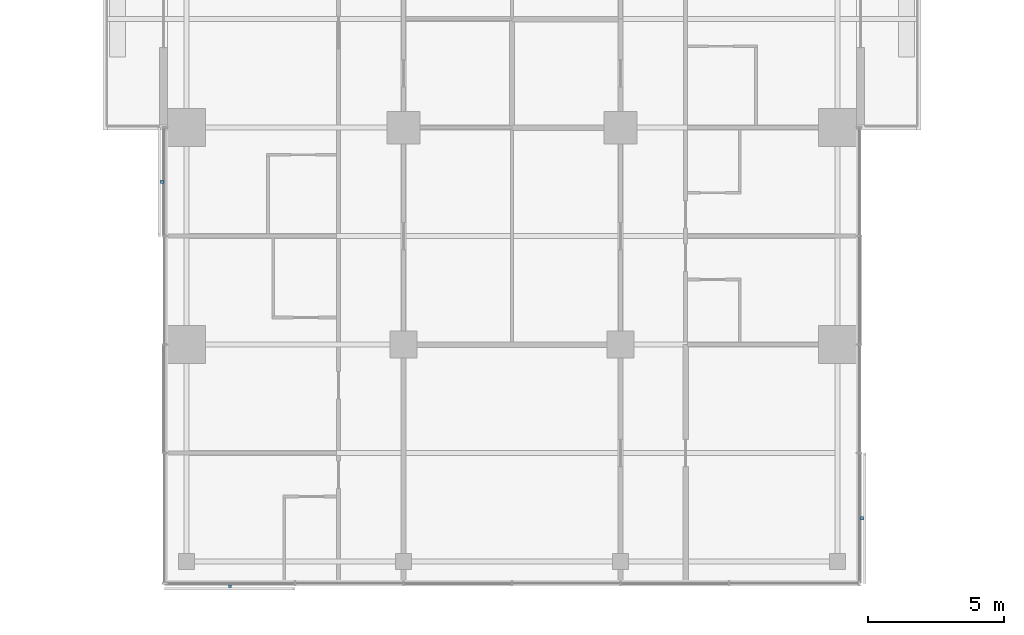
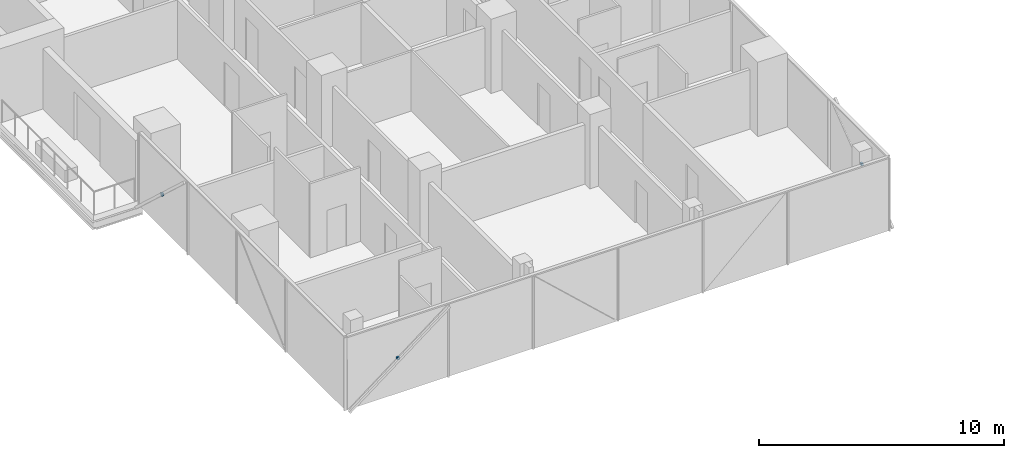
# One storey, part 23 of 27: 3 discrete accessories.
"""IFC4 building model written with IfcOpenShell, lengths in metres."""

from ifc_helpers import new_model, si_unit, direction, frame, origin, origin_2d, place, context, subcontext, project, spatial, rectangle, extrude, material, type_object, element, save


model = new_model("IFC4")

# Units and contexts
model_context = context("Model", 3, precision=1e-05, world=origin(), true_north=direction((0.0, 1.0)))
body_context = subcontext(model_context, "Body", "Model", "MODEL_VIEW")
ifc_project = project(units=[si_unit("LENGTHUNIT", "METRE"), si_unit("AREAUNIT", "SQUARE_METRE"), si_unit("VOLUMEUNIT", "CUBIC_METRE"), si_unit("PLANEANGLEUNIT", "RADIAN"), si_unit("MASSUNIT", "GRAM", prefix="KILO")], contexts=[model_context])

# Site, building, storey
site_placement = place(None, origin())
site = spatial("IfcSite", under=ifc_project, at=site_placement, CompositionType="ELEMENT")
building_placement = place(site_placement, origin())
building = spatial("IfcBuilding", under=site, at=building_placement, Name="Crosswind Convention Tower", CompositionType="ELEMENT")
storey_placement = place(building_placement, frame((0.0, 0.0, 75.699951171875)))
storey = spatial("IfcBuildingStorey", under=building, at=storey_placement, Name="L13", CompositionType="ELEMENT", Elevation=75.699951171875)

# Discrete accessories
ifc_material = material(Name="Stainless steel", Category="steel")
discrete_accessory_type = type_object("IfcDiscreteAccessoryType", Name="BAGUETTE BRACKET BK2", PredefinedType="BRACKET", material=ifc_material)
for number, where, z_axis, x_axis, name in (
    (1, (112.092041015625, 78.0, 1.4775390625), (0.0, 0.0, 1.0), (0.0, -1.0, 0.0), "BK2 baguette bracket"),
    (2, (114.60009765625, 63.092041015625, 1.4775390625), (0.0, 0.0, 1.0), (1.0, 0.0, 0.0), "BK2 baguette bracket"),
    (3, (137.907958984375, 65.60009765625, 1.4775390625), (0.0, 0.0, 1.0), (0.0, 1.0, 0.0), "BK2 baguette bracket"),
):
    element("IfcDiscreteAccessory", number, at=place(storey_placement, frame(where, z_axis=z_axis, x_axis=x_axis)), inside=storey, type_object=discrete_accessory_type, Name=name, PredefinedType="BRACKET", context=body_context, shape_type="SweptSolid", body=[
        extrude(rectangle(XDim=0.1201171875, YDim=0.10009765625, at=origin_2d()), origin(), (0.0, 0.0, 1.0), 0.1201171875),
    ])

save(model, "model.ifc")
